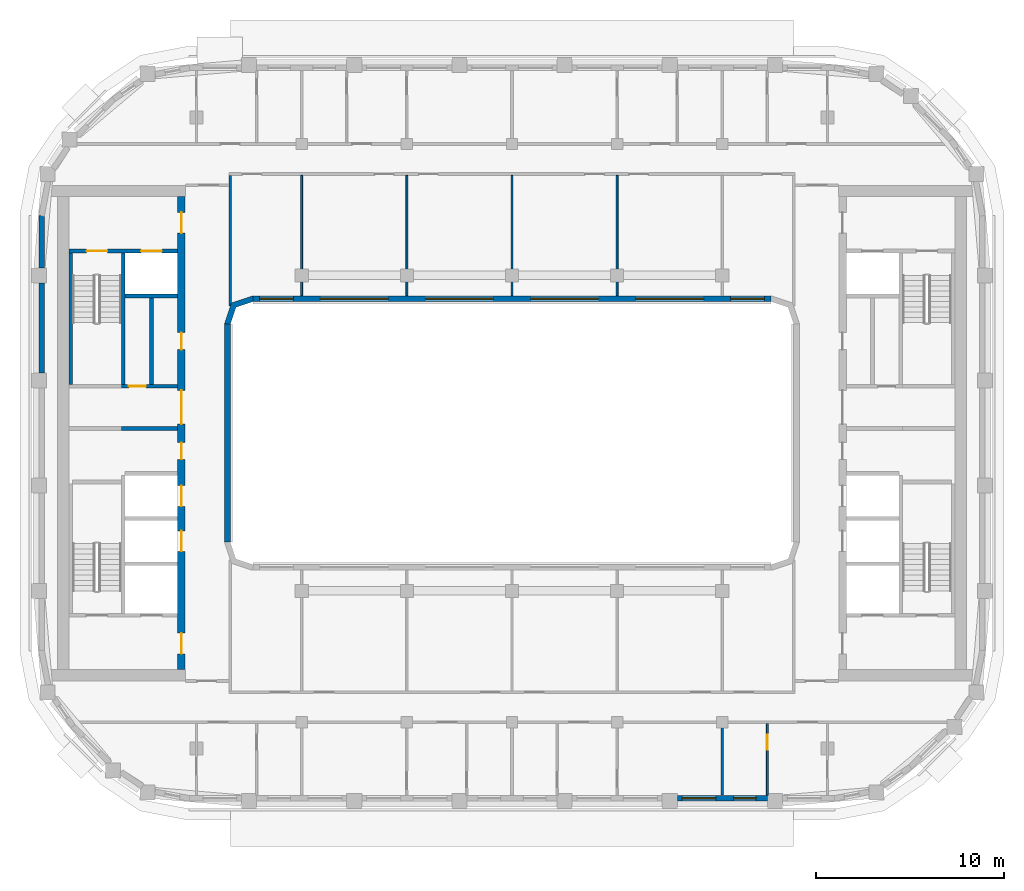
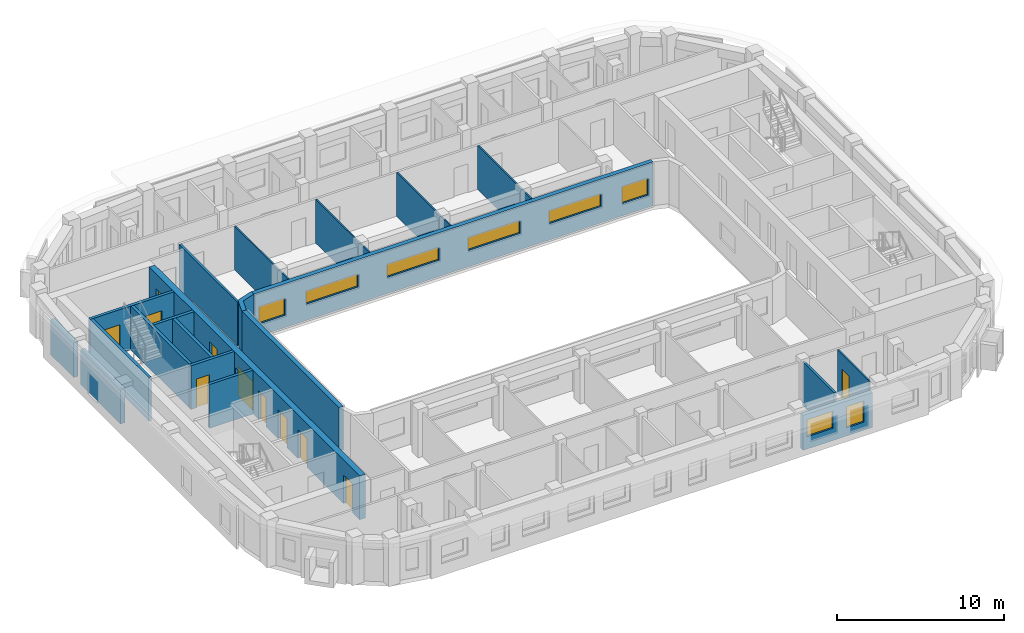
# One storey, part 4 of 15: 21 walls, 11 doors, 8 windows, 19 openings.
"""IFC4 building model written with IfcOpenShell, lengths in metres."""

from ifc_helpers import new_model, si_unit, direction, frame, frame_2d, origin, place, context, subcontext, project, spatial, polyline, rectangle, outline, extrude, material, layer, layer_set, type_object, element, fill, save


model = new_model("IFC4")

# Units and contexts
model_context = context("Model", 3, precision=1e-05, world=origin(), true_north=direction((0.0, 1.0)))
body_context = subcontext(model_context, "Body", "Model", "MODEL_VIEW")
ifc_project = project(units=[si_unit("LENGTHUNIT", "METRE"), si_unit("AREAUNIT", "SQUARE_METRE"), si_unit("VOLUMEUNIT", "CUBIC_METRE"), si_unit("PLANEANGLEUNIT", "RADIAN"), si_unit("MASSUNIT", "GRAM", prefix="KILO")], contexts=[model_context])

# Site, building, storey
site_placement = place(None, origin())
site = spatial("IfcSite", under=ifc_project, at=site_placement, CompositionType="ELEMENT")
building_placement = place(site_placement, origin())
building = spatial("IfcBuilding", under=site, at=building_placement, Name="Kiln Ring Residences", CompositionType="ELEMENT")
storey_placement = place(building_placement, frame((0.0, 0.0, 252.199951171875)))
storey = spatial("IfcBuildingStorey", under=building, at=storey_placement, Name="L65", CompositionType="ELEMENT", Elevation=252.199951171875)

# Walls
ifc_material_1 = material(Name="Gypsum board on steel studs", Category="steel")
ifc_layer_1 = layer(ifc_material_1, 0.199951171875)
ifc_layer_set_1 = layer_set([ifc_layer_1], Name="CORE-PARTITION-200")
wall_type_1 = type_object("IfcWallType", Name="CORE-PARTITION-200", PredefinedType="PARTITIONING", material=ifc_layer_set_1)
wall_1_placement = place(storey_placement, frame((-19.199951171875, 2.60009765625, 0.0), z_axis=(0.0, 0.0, 1.0), x_axis=(0.0, 1.0, 0.0)))
element("IfcWall", 1, at=wall_1_placement, inside=storey, type_object=wall_type_1, Name="Core partition west L65 2", PredefinedType="PARTITIONING", context=body_context, shape_type="SweptSolid", body=[
    extrude(rectangle(XDim=4.599853515625, YDim=0.199951171875, at=frame_2d((2.2998046875, 0.0))), origin(), (0.0, 0.0, 1.0), 3.199951171875),
])
ifc_material_2 = material(Name="Gypsum shaft wall system")
ifc_layer_2 = layer(ifc_material_2, 0.199951171875)
ifc_layer_set_2 = layer_set([ifc_layer_2], Name="CORE-SHAFT-WALL-200")
wall_type_2 = type_object("IfcWallType", Name="CORE-SHAFT-WALL-200", PredefinedType="PARTITIONING", material=ifc_layer_set_2)
wall_2_placement = place(storey_placement, frame((-17.800048828125, 0.25, 0.0), z_axis=(0.0, 0.0, 1.0), x_axis=(-1.0, 0.0, 0.0)))
element("IfcWall", 2, at=wall_2_placement, inside=storey, type_object=wall_type_2, Name="Core partition west L65 6", PredefinedType="PARTITIONING", context=body_context, shape_type="SweptSolid", body=[
    extrude(rectangle(XDim=3.0, YDim=0.199951171875, at=frame_2d((1.5, 0.0))), origin(), (0.0, 0.0, 1.0), 3.199951171875),
])

# Wall, opening, door
wall_3_placement = place(storey_placement, frame((-17.800048828125, 2.5, 0.0), z_axis=(0.0, 0.0, 1.0), x_axis=(-1.0, 0.0, 0.0)))
wall_3 = element("IfcWall", 3, at=wall_3_placement, inside=storey, type_object=wall_type_2, Name="Core partition west L65 7", PredefinedType="PARTITIONING", context=body_context, shape_type="SweptSolid", body=[
    extrude(rectangle(XDim=3.0, YDim=0.199951171875, at=frame_2d((1.5, 0.0))), origin(), (0.0, 0.0, 1.0), 3.199951171875),
])
opening_1_placement = place(wall_3_placement, frame((1.699951171875, 0.0, 0.0)))
opening_1 = element("IfcOpeningElement", 4, at=opening_1_placement, cuts=wall_3, Name="Opening L65-CW06", PredefinedType="OPENING", context=body_context, shape_type="SweptSolid", body=[
    extrude(rectangle(XDim=0.89990234375, YDim=2.10009765625, at=frame_2d((0.449951171875, 1.050048828125))), frame((0.0, 0.10986328125, 0.0), z_axis=(0.0, -1.0, 0.0), x_axis=(1.0, 0.0, 0.0)), (0.0, 0.0, 1.0), 0.219970703125),
])
ifc_material_3 = material(Name="Steel door leaf", Category="steel")
door_type_1 = type_object("IfcDoorType", Name="CORE-DOOR-ROOM", OperationType="SINGLE_SWING_LEFT", PredefinedType="DOOR", material=ifc_material_3)
door_1_placement = place(opening_1_placement, origin())
door_1 = element("IfcDoor", 5, at=door_1_placement, inside=storey, type_object=door_type_1, Name="Cleaner's store L65-CW06", OperationType="SINGLE_SWING_LEFT", OverallHeight=2.10009765625, OverallWidth=0.89990234375, PredefinedType="DOOR", context=body_context, shape_type="SweptSolid", body=[
    extrude(rectangle(XDim=0.89990234375, YDim=2.10009765625, at=frame_2d((0.449951171875, 1.050048828125))), frame((0.0, 0.02490234375, 0.0), z_axis=(0.0, -1.0, 0.0), x_axis=(1.0, 0.0, 0.0)), (0.0, 0.0, 1.0), 0.050048828125),
])
fill(opening_1, door_1)

# Walls
wall_4_placement = place(storey_placement, frame((-17.800048828125, 7.300048828125, 0.0), z_axis=(0.0, 0.0, 1.0), x_axis=(-1.0, 0.0, 0.0)))
element("IfcWall", 6, at=wall_4_placement, inside=storey, type_object=wall_type_2, Name="Core partition west L65 8", PredefinedType="PARTITIONING", context=body_context, shape_type="SweptSolid", body=[
    extrude(rectangle(XDim=2.800048828125, YDim=0.199951171875, at=frame_2d((1.39990234375, 0.0))), origin(), (0.0, 0.0, 1.0), 3.199951171875),
])
ifc_material_4 = material(Name="Concrete C40/50", Category="concrete")
ifc_layer_3 = layer(ifc_material_4, 0.199951171875)
ifc_layer_set_3 = layer_set([ifc_layer_3], Name="CORE-WALL-RC200")
wall_type_3 = type_object("IfcWallType", Name="CORE-WALL-RC200", PredefinedType="SHEAR", material=ifc_layer_set_3)
wall_5_placement = place(storey_placement, frame((-20.699951171875, 2.60009765625, 0.0), z_axis=(0.0, 0.0, 1.0), x_axis=(0.0, 1.0, 0.0)))
element("IfcWall", 7, at=wall_5_placement, inside=storey, type_object=wall_type_3, Name="Core wall west L65 1", PredefinedType="SHEAR", context=body_context, shape_type="SweptSolid", body=[
    extrude(rectangle(XDim=7.0, YDim=0.199951171875, at=frame_2d((3.5, 0.0))), origin(), (0.0, 0.0, 1.0), 3.199951171875),
])

# Wall, openings, doors
wall_6_placement = place(storey_placement, frame((-17.800048828125, 9.699951171875, 0.0), z_axis=(0.0, 0.0, 1.0), x_axis=(-1.0, 0.0, 0.0)))
wall_6 = element("IfcWall", 8, at=wall_6_placement, inside=storey, type_object=wall_type_3, Name="Core wall west L65 9", PredefinedType="SHEAR", context=body_context, shape_type="SweptSolid", body=[
    extrude(rectangle(XDim=5.800048828125, YDim=0.199951171875, at=frame_2d((2.89990234375, 0.0))), origin(), (0.0, 0.0, 1.0), 3.199951171875),
])
opening_2_placement = place(wall_6_placement, frame((0.85009765625, 0.0, 0.0)))
opening_2 = element("IfcOpeningElement", 9, at=opening_2_placement, cuts=wall_6, Name="Opening L65-CW07", PredefinedType="OPENING", context=body_context, shape_type="SweptSolid", body=[
    extrude(rectangle(XDim=1.10009765625, YDim=2.10009765625, at=frame_2d((0.550048828125, 1.050048828125))), frame((0.0, 0.10986328125, 0.0), z_axis=(0.0, -1.0, 0.0), x_axis=(1.0, 0.0, 0.0)), (0.0, 0.0, 1.0), 0.219970703125),
])
opening_3_placement = place(wall_6_placement, frame((3.75, 0.0, 0.0)))
opening_3 = element("IfcOpeningElement", 10, at=opening_3_placement, cuts=wall_6, Name="Opening L65-CW10", PredefinedType="OPENING", context=body_context, shape_type="SweptSolid", body=[
    extrude(rectangle(XDim=1.10009765625, YDim=2.10009765625, at=frame_2d((0.550048828125, 1.050048828125))), frame((0.0, 0.10986328125, 0.0), z_axis=(0.0, -1.0, 0.0), x_axis=(1.0, 0.0, 0.0)), (0.0, 0.0, 1.0), 0.219970703125),
])
ifc_material_5 = material(Name="Steel door leaf", Category="steel")
door_type_2 = type_object("IfcDoorType", Name="CORE-DOOR-LD", OperationType="DOUBLE_DOOR_SLIDING", PredefinedType="DOOR", material=ifc_material_5)
door_2_placement = place(opening_2_placement, origin())
door_2 = element("IfcDoor", 11, at=door_2_placement, inside=storey, type_object=door_type_2, Name="LD W-FF L65-CW07", OperationType="DOUBLE_DOOR_SLIDING", OverallHeight=2.10009765625, OverallWidth=1.10009765625, PredefinedType="DOOR", context=body_context, shape_type="SweptSolid", body=[
    extrude(rectangle(XDim=1.10009765625, YDim=2.10009765625, at=frame_2d((0.550048828125, 1.050048828125))), frame((0.0, 0.02490234375, 0.0), z_axis=(0.0, -1.0, 0.0), x_axis=(1.0, 0.0, 0.0)), (0.0, 0.0, 1.0), 0.050048828125),
])
fill(opening_2, door_2)
ifc_material_6 = material(Name="Steel door leaf", Category="steel")
door_type_3 = type_object("IfcDoorType", Name="CORE-DOOR-STAIR", OperationType="SINGLE_SWING_LEFT", PredefinedType="DOOR", material=ifc_material_6)
door_3_placement = place(opening_3_placement, origin())
door_3 = element("IfcDoor", 12, at=door_3_placement, inside=storey, type_object=door_type_3, Name="Stair W-STN L65-CW10", OperationType="SINGLE_SWING_RIGHT", OverallHeight=2.10009765625, OverallWidth=1.10009765625, PredefinedType="DOOR", context=body_context, shape_type="SweptSolid", body=[
    extrude(rectangle(XDim=1.10009765625, YDim=2.10009765625, at=frame_2d((0.550048828125, 1.050048828125))), frame((0.0, 0.02490234375, 0.0), z_axis=(0.0, -1.0, 0.0), x_axis=(1.0, 0.0, 0.0)), (0.0, 0.0, 1.0), 0.050048828125),
])
fill(opening_3, door_3)

# Wall
wall_7_placement = place(storey_placement, frame((-23.5, 2.60009765625, 0.0), z_axis=(0.0, 0.0, 1.0), x_axis=(0.0, 1.0, 0.0)))
element("IfcWall", 13, at=wall_7_placement, inside=storey, type_object=wall_type_3, Name="Core wall west L65 10", PredefinedType="SHEAR", context=body_context, shape_type="SweptSolid", body=[
    extrude(rectangle(XDim=7.0, YDim=0.199951171875, at=frame_2d((3.5, 0.0))), origin(), (0.0, 0.0, 1.0), 3.199951171875),
])

# Wall, openings, doors
ifc_material_7 = material(Name="Concrete C60/75", Category="concrete")
ifc_layer_4 = layer(ifc_material_7, 0.39990234375)
ifc_layer_set_4 = layer_set([ifc_layer_4], Name="CORE-WALL-RC400")
wall_type_4 = type_object("IfcWallType", Name="CORE-WALL-RC400", PredefinedType="SHEAR", material=ifc_layer_set_4)
wall_8_placement = place(storey_placement, frame((-17.60009765625, -12.60009765625, 0.0), z_axis=(0.0, 0.0, 1.0), x_axis=(0.0, 1.0, 0.0)))
wall_8 = element("IfcWall", 14, at=wall_8_placement, inside=storey, type_object=wall_type_4, Name="Core wall west L65 6", PredefinedType="SHEAR", context=body_context, shape_type="SweptSolid", body=[
    extrude(rectangle(XDim=25.2001953125, YDim=0.39990234375, at=frame_2d((12.60009765625, 0.0))), origin(), (0.0, 0.0, 1.0), 3.199951171875),
])
opening_4_placement = place(wall_8_placement, frame((6.300048828125, 0.0, 0.0)))
opening_4 = element("IfcOpeningElement", 15, at=opening_4_placement, cuts=wall_8, Name="Opening L65-CW02", PredefinedType="OPENING", context=body_context, shape_type="SweptSolid", body=[
    extrude(rectangle(XDim=1.10009765625, YDim=2.10009765625, at=frame_2d((0.550048828125, 1.050048828125))), frame((0.0, 0.2099609375, 0.0), z_axis=(0.0, -1.0, 0.0), x_axis=(1.0, 0.0, 0.0)), (0.0, 0.0, 1.0), 0.419921875),
])
opening_5_placement = place(wall_8_placement, frame((8.699951171875, 0.0, 0.0)))
opening_5 = element("IfcOpeningElement", 16, at=opening_5_placement, cuts=wall_8, Name="Opening L65-CW03", PredefinedType="OPENING", context=body_context, shape_type="SweptSolid", body=[
    extrude(rectangle(XDim=1.10009765625, YDim=2.10009765625, at=frame_2d((0.550048828125, 1.050048828125))), frame((0.0, 0.2099609375, 0.0), z_axis=(0.0, -1.0, 0.0), x_axis=(1.0, 0.0, 0.0)), (0.0, 0.0, 1.0), 0.419921875),
])
opening_6_placement = place(wall_8_placement, frame((11.199951171875, 0.0, 0.0)))
opening_6 = element("IfcOpeningElement", 17, at=opening_6_placement, cuts=wall_8, Name="Opening L65-CW04", PredefinedType="OPENING", context=body_context, shape_type="SweptSolid", body=[
    extrude(rectangle(XDim=0.89990234375, YDim=2.10009765625, at=frame_2d((0.449951171875, 1.050048828125))), frame((0.0, 0.2099609375, 0.0), z_axis=(0.0, -1.0, 0.0), x_axis=(1.0, 0.0, 0.0)), (0.0, 0.0, 1.0), 0.419921875),
])
opening_7_placement = place(wall_8_placement, frame((17.050048828125, 0.0, 0.0)))
opening_7 = element("IfcOpeningElement", 18, at=opening_7_placement, cuts=wall_8, Name="Opening L65-CW05", PredefinedType="OPENING", context=body_context, shape_type="SweptSolid", body=[
    extrude(rectangle(XDim=0.89990234375, YDim=2.10009765625, at=frame_2d((0.449951171875, 1.050048828125))), frame((0.0, 0.2099609375, 0.0), z_axis=(0.0, -1.0, 0.0), x_axis=(1.0, 0.0, 0.0)), (0.0, 0.0, 1.0), 0.419921875),
])
opening_8_placement = place(wall_8_placement, frame((23.25, 0.0, 0.0)))
opening_8 = element("IfcOpeningElement", 19, at=opening_8_placement, cuts=wall_8, Name="Opening L65-CW08", PredefinedType="OPENING", context=body_context, shape_type="SweptSolid", body=[
    extrude(rectangle(XDim=1.10009765625, YDim=2.10009765625, at=frame_2d((0.550048828125, 1.050048828125))), frame((0.0, 0.2099609375, 0.0), z_axis=(0.0, -1.0, 0.0), x_axis=(1.0, 0.0, 0.0)), (0.0, 0.0, 1.0), 0.419921875),
])
opening_9_placement = place(wall_8_placement, frame((0.85009765625, 0.0, 0.0)))
opening_9 = element("IfcOpeningElement", 20, at=opening_9_placement, cuts=wall_8, Name="Opening L65-CW09", PredefinedType="OPENING", context=body_context, shape_type="SweptSolid", body=[
    extrude(rectangle(XDim=1.10009765625, YDim=2.10009765625, at=frame_2d((0.550048828125, 1.050048828125))), frame((0.0, 0.2099609375, 0.0), z_axis=(0.0, -1.0, 0.0), x_axis=(1.0, 0.0, 0.0)), (0.0, 0.0, 1.0), 0.419921875),
])
opening_10_placement = place(wall_8_placement, frame((13.074951171875, 0.0, 0.0)))
opening_10 = element("IfcOpeningElement", 21, at=opening_10_placement, cuts=wall_8, Name="Opening L65-CW12", PredefinedType="OPENING", context=body_context, shape_type="SweptSolid", body=[
    extrude(rectangle(XDim=1.800048828125, YDim=2.10009765625, at=frame_2d((0.89990234375, 1.050048828125))), frame((0.0, 0.2099609375, 0.0), z_axis=(0.0, -1.0, 0.0), x_axis=(1.0, 0.0, 0.0)), (0.0, 0.0, 1.0), 0.419921875),
])
door_4_placement = place(opening_4_placement, origin())
door_4 = element("IfcDoor", 22, at=door_4_placement, inside=storey, type_object=door_type_2, Name="LD W-H1 L65-CW02", OperationType="DOUBLE_DOOR_SLIDING", OverallHeight=2.10009765625, OverallWidth=1.10009765625, PredefinedType="DOOR", context=body_context, shape_type="SweptSolid", body=[
    extrude(rectangle(XDim=1.10009765625, YDim=2.10009765625, at=frame_2d((0.550048828125, 1.050048828125))), frame((0.0, 0.02490234375, 0.0), z_axis=(0.0, -1.0, 0.0), x_axis=(1.0, 0.0, 0.0)), (0.0, 0.0, 1.0), 0.050048828125),
])
fill(opening_4, door_4)
door_5_placement = place(opening_5_placement, origin())
door_5 = element("IfcDoor", 23, at=door_5_placement, inside=storey, type_object=door_type_2, Name="LD W-H2 L65-CW03", OperationType="DOUBLE_DOOR_SLIDING", OverallHeight=2.10009765625, OverallWidth=1.10009765625, PredefinedType="DOOR", context=body_context, shape_type="SweptSolid", body=[
    extrude(rectangle(XDim=1.10009765625, YDim=2.10009765625, at=frame_2d((0.550048828125, 1.050048828125))), frame((0.0, 0.02490234375, 0.0), z_axis=(0.0, -1.0, 0.0), x_axis=(1.0, 0.0, 0.0)), (0.0, 0.0, 1.0), 0.050048828125),
])
fill(opening_5, door_5)
ifc_material_8 = material(Name="Steel door leaf", Category="steel")
door_type_4 = type_object("IfcDoorType", Name="CORE-DOOR-LOBBY", OperationType="SINGLE_SWING_LEFT", PredefinedType="DOOR", material=ifc_material_8)
door_6_placement = place(opening_8_placement, origin())
door_6 = element("IfcDoor", 24, at=door_6_placement, inside=storey, type_object=door_type_4, Name="FFL L65-CW08", OperationType="SINGLE_SWING_LEFT", OverallHeight=2.10009765625, OverallWidth=1.10009765625, PredefinedType="DOOR", context=body_context, shape_type="SweptSolid", body=[
    extrude(rectangle(XDim=1.10009765625, YDim=2.10009765625, at=frame_2d((0.550048828125, 1.050048828125))), frame((0.0, 0.02490234375, 0.0), z_axis=(0.0, -1.0, 0.0), x_axis=(1.0, 0.0, 0.0)), (0.0, 0.0, 1.0), 0.050048828125),
])
fill(opening_8, door_6)
door_7_placement = place(opening_9_placement, origin())
door_7 = element("IfcDoor", 25, at=door_7_placement, inside=storey, type_object=door_type_4, Name="SVL L65-CW09", OperationType="SINGLE_SWING_RIGHT", OverallHeight=2.10009765625, OverallWidth=1.10009765625, PredefinedType="DOOR", context=body_context, shape_type="SweptSolid", body=[
    extrude(rectangle(XDim=1.10009765625, YDim=2.10009765625, at=frame_2d((0.550048828125, 1.050048828125))), frame((0.0, 0.02490234375, 0.0), z_axis=(0.0, -1.0, 0.0), x_axis=(1.0, 0.0, 0.0)), (0.0, 0.0, 1.0), 0.050048828125),
])
fill(opening_9, door_7)
ifc_material_9 = material(Name="Steel door leaf", Category="steel")
door_type_5 = type_object("IfcDoorType", Name="CORE-DOOR-PASS", OperationType="DOUBLE_DOOR_SINGLE_SWING", PredefinedType="DOOR", material=ifc_material_9)
door_8_placement = place(opening_10_placement, origin())
door_8 = element("IfcDoor", 26, at=door_8_placement, inside=storey, type_object=door_type_5, Name="Core passage L65-CW12", OperationType="DOUBLE_DOOR_SINGLE_SWING", OverallHeight=2.10009765625, OverallWidth=1.800048828125, PredefinedType="DOOR", context=body_context, shape_type="SweptSolid", body=[
    extrude(rectangle(XDim=1.800048828125, YDim=2.10009765625, at=frame_2d((0.89990234375, 1.050048828125))), frame((0.0, 0.02490234375, 0.0), z_axis=(0.0, -1.0, 0.0), x_axis=(1.0, 0.0, 0.0)), (0.0, 0.0, 1.0), 0.050048828125),
])
fill(opening_10, door_8)
door_9_placement = place(opening_6_placement, origin())
door_9 = element("IfcDoor", 27, at=door_9_placement, inside=storey, type_object=door_type_1, Name="Parcel room L65-CW04", OperationType="SINGLE_SWING_RIGHT", OverallHeight=2.10009765625, OverallWidth=0.89990234375, PredefinedType="DOOR", context=body_context, shape_type="SweptSolid", body=[
    extrude(rectangle(XDim=0.89990234375, YDim=2.10009765625, at=frame_2d((0.449951171875, 1.050048828125))), frame((0.0, 0.02490234375, 0.0), z_axis=(0.0, -1.0, 0.0), x_axis=(1.0, 0.0, 0.0)), (0.0, 0.0, 1.0), 0.050048828125),
])
fill(opening_6, door_9)
door_10_placement = place(opening_7_placement, origin())
door_10 = element("IfcDoor", 28, at=door_10_placement, inside=storey, type_object=door_type_1, Name="Storage room L65-CW05", OperationType="SINGLE_SWING_LEFT", OverallHeight=2.10009765625, OverallWidth=0.89990234375, PredefinedType="DOOR", context=body_context, shape_type="SweptSolid", body=[
    extrude(rectangle(XDim=0.89990234375, YDim=2.10009765625, at=frame_2d((0.449951171875, 1.050048828125))), frame((0.0, 0.02490234375, 0.0), z_axis=(0.0, -1.0, 0.0), x_axis=(1.0, 0.0, 0.0)), (0.0, 0.0, 1.0), 0.050048828125),
])
fill(opening_7, door_10)

# Wall, openings, windows
ifc_material_10 = material(Name="Brick masonry, dark clay brick", Category="masonry")
ifc_layer_5 = layer(ifc_material_10, 0.300048828125)
ifc_layer_set_5 = layer_set([ifc_layer_5], Name="EW-300 BRICK WALL")
wall_type_5 = type_object("IfcWallType", Name="EW-300 BRICK WALL", PredefinedType="SOLIDWALL", material=ifc_layer_set_5)
wall_9_placement = place(storey_placement, frame((8.800048828125, -19.449951171875, 0.0), z_axis=(0.0, 0.0, 1.0), x_axis=(1.0, 0.0, 0.0)))
wall_9 = element("IfcWall", 29, at=wall_9_placement, inside=storey, type_object=wall_type_5, Name="Facade wall L65 9", PredefinedType="SOLIDWALL", context=body_context, shape_type="SweptSolid", body=[
    extrude(rectangle(XDim=4.800048828125, YDim=0.300048828125, at=frame_2d((2.39990234375, 0.0))), origin(), (0.0, 0.0, 1.0), 2.550048828125),
])
opening_11_placement = place(wall_9_placement, frame((0.262451171875, 0.0, 0.89990234375)))
opening_11 = element("IfcOpeningElement", 30, at=opening_11_placement, cuts=wall_9, Name="Opening W2", PredefinedType="OPENING", context=body_context, shape_type="SweptSolid", body=[
    extrude(rectangle(XDim=1.800048828125, YDim=1.25, at=frame_2d((0.89990234375, 0.625))), frame((0.0, 0.159912109375, 0.0), z_axis=(0.0, -1.0, 0.0), x_axis=(1.0, 0.0, 0.0)), (0.0, 0.0, 1.0), 0.320068359375),
])
opening_12_placement = place(wall_9_placement, frame((3.0, 0.0, 0.60009765625)))
opening_12 = element("IfcOpeningElement", 31, at=opening_12_placement, cuts=wall_9, Name="Opening W1", PredefinedType="OPENING", context=body_context, shape_type="SweptSolid", body=[
    extrude(rectangle(XDim=1.199951171875, YDim=1.550048828125, at=frame_2d((0.60009765625, 0.77490234375))), frame((0.0, 0.159912109375, 0.0), z_axis=(0.0, -1.0, 0.0), x_axis=(1.0, 0.0, 0.0)), (0.0, 0.0, 1.0), 0.320068359375),
])
ifc_material_11 = material(Name="Aluminium frame with double glazing", Category="aluminium")
window_type_1 = type_object("IfcWindowType", Name="WINDOW 1200 x 1550", PartitioningType="SINGLE_PANEL", PredefinedType="WINDOW", material=ifc_material_11)
window_1_placement = place(opening_12_placement, origin())
window_1 = element("IfcWindow", 32, at=window_1_placement, inside=storey, type_object=window_type_1, Name="Window L65 13", OverallHeight=1.550048828125, OverallWidth=1.199951171875, PartitioningType="SINGLE_PANEL", PredefinedType="WINDOW", context=body_context, shape_type="SweptSolid", body=[
    extrude(rectangle(XDim=1.199951171875, YDim=1.550048828125, at=frame_2d((0.60009765625, 0.77490234375))), frame((0.0, 0.030029296875, 0.0), z_axis=(0.0, -1.0, 0.0), x_axis=(1.0, 0.0, 0.0)), (0.0, 0.0, 1.0), 0.06005859375),
])
fill(opening_12, window_1)
ifc_material_12 = material(Name="Aluminium frame with double glazing", Category="aluminium")
window_type_2 = type_object("IfcWindowType", Name="WINDOW 1800 x 1250", PartitioningType="SINGLE_PANEL", PredefinedType="WINDOW", material=ifc_material_12)
window_2_placement = place(opening_11_placement, origin())
window_2 = element("IfcWindow", 33, at=window_2_placement, inside=storey, type_object=window_type_2, Name="Window L65 12", OverallHeight=1.25, OverallWidth=1.800048828125, PartitioningType="SINGLE_PANEL", PredefinedType="WINDOW", context=body_context, shape_type="SweptSolid", body=[
    extrude(rectangle(XDim=1.800048828125, YDim=1.25, at=frame_2d((0.89990234375, 0.625))), frame((0.0, 0.030029296875, 0.0), z_axis=(0.0, -1.0, 0.0), x_axis=(1.0, 0.0, 0.0)), (0.0, 0.0, 1.0), 0.06005859375),
])
fill(opening_11, window_2)

# Walls
wall_10_placement = place(storey_placement, frame((-25.050048828125, 11.60009765625, 0.0), z_axis=(0.0, 0.0, 1.0), x_axis=(0.0, -1.0, 0.0)))
element("IfcWall", 34, at=wall_10_placement, inside=storey, type_object=wall_type_5, Name="Facade wall L65 38", PredefinedType="SOLIDWALL", context=body_context, shape_type="SweptSolid", body=[
    extrude(rectangle(XDim=2.800048828125, YDim=0.300048828125, at=frame_2d((1.39990234375, 0.0))), origin(), (0.0, 0.0, 1.0), 2.550048828125),
])
wall_11_placement = place(storey_placement, frame((-25.050048828125, 8.0, 0.0), z_axis=(0.0, 0.0, 1.0), x_axis=(0.0, -1.0, 0.0)))
element("IfcWall", 35, at=wall_11_placement, inside=storey, type_object=wall_type_5, Name="Facade wall L65 39", PredefinedType="SOLIDWALL", context=body_context, shape_type="SweptSolid", body=[
    extrude(rectangle(XDim=4.800048828125, YDim=0.300048828125, at=frame_2d((2.39990234375, 0.0))), origin(), (0.0, 0.0, 1.0), 2.550048828125),
])
wall_12_placement = place(storey_placement, frame((-15.14990234375, -5.800048828125, 0.0), z_axis=(0.0, 0.0, 1.0), x_axis=(0.0, 1.0, 0.0)))
element("IfcWall", 36, at=wall_12_placement, inside=storey, type_object=wall_type_5, Name="Facade wall L65 45", PredefinedType="SOLIDWALL", context=body_context, shape_type="SweptSolid", body=[
    extrude(rectangle(XDim=11.60009765625, YDim=0.300048828125, at=frame_2d((5.800048828125, 0.0))), origin(), (0.0, 0.0, 1.0), 3.199951171875),
])

# Wall, openings, windows
wall_13_placement = place(storey_placement, frame((-13.800048828125, 7.14990234375, 0.0), z_axis=(0.0, 0.0, 1.0), x_axis=(1.0, 0.0, 0.0)))
wall_13 = element("IfcWall", 37, at=wall_13_placement, inside=storey, type_object=wall_type_5, Name="Facade wall L65 46", PredefinedType="SOLIDWALL", context=body_context, shape_type="SweptSolid", body=[
    extrude(rectangle(XDim=27.60009765625, YDim=0.300048828125, at=frame_2d((13.800048828125, 0.0))), origin(), (0.0, 0.0, 1.0), 3.199951171875),
])
opening_13_placement = place(wall_13_placement, frame((0.362548828125, 0.0, 0.89990234375)))
opening_13 = element("IfcOpeningElement", 38, at=opening_13_placement, cuts=wall_13, Name="Opening W2", PredefinedType="OPENING", context=body_context, shape_type="SweptSolid", body=[
    extrude(rectangle(XDim=1.800048828125, YDim=1.25, at=frame_2d((0.89990234375, 0.625))), frame((0.0, 0.159912109375, 0.0), z_axis=(0.0, -1.0, 0.0), x_axis=(1.0, 0.0, 0.0)), (0.0, 0.0, 1.0), 0.320068359375),
])
opening_14_placement = place(wall_13_placement, frame((3.60009765625, 0.0, 1.199951171875)))
opening_14 = element("IfcOpeningElement", 39, at=opening_14_placement, cuts=wall_13, Name="Opening W4", PredefinedType="OPENING", context=body_context, shape_type="SweptSolid", body=[
    extrude(rectangle(XDim=3.60009765625, YDim=0.949951171875, at=frame_2d((1.800048828125, 0.47509765625))), frame((0.0, 0.159912109375, 0.0), z_axis=(0.0, -1.0, 0.0), x_axis=(1.0, 0.0, 0.0)), (0.0, 0.0, 1.0), 0.320068359375),
])
opening_15_placement = place(wall_13_placement, frame((9.199951171875, 0.0, 1.199951171875)))
opening_15 = element("IfcOpeningElement", 40, at=opening_15_placement, cuts=wall_13, Name="Opening W4", PredefinedType="OPENING", context=body_context, shape_type="SweptSolid", body=[
    extrude(rectangle(XDim=3.60009765625, YDim=0.949951171875, at=frame_2d((1.800048828125, 0.47509765625))), frame((0.0, 0.159912109375, 0.0), z_axis=(0.0, -1.0, 0.0), x_axis=(1.0, 0.0, 0.0)), (0.0, 0.0, 1.0), 0.320068359375),
])
opening_16_placement = place(wall_13_placement, frame((14.800048828125, 0.0, 1.199951171875)))
opening_16 = element("IfcOpeningElement", 41, at=opening_16_placement, cuts=wall_13, Name="Opening W4", PredefinedType="OPENING", context=body_context, shape_type="SweptSolid", body=[
    extrude(rectangle(XDim=3.60009765625, YDim=0.949951171875, at=frame_2d((1.800048828125, 0.47509765625))), frame((0.0, 0.159912109375, 0.0), z_axis=(0.0, -1.0, 0.0), x_axis=(1.0, 0.0, 0.0)), (0.0, 0.0, 1.0), 0.320068359375),
])
opening_17_placement = place(wall_13_placement, frame((20.39990234375, 0.0, 1.199951171875)))
opening_17 = element("IfcOpeningElement", 42, at=opening_17_placement, cuts=wall_13, Name="Opening W4", PredefinedType="OPENING", context=body_context, shape_type="SweptSolid", body=[
    extrude(rectangle(XDim=3.60009765625, YDim=0.949951171875, at=frame_2d((1.800048828125, 0.47509765625))), frame((0.0, 0.159912109375, 0.0), z_axis=(0.0, -1.0, 0.0), x_axis=(1.0, 0.0, 0.0)), (0.0, 0.0, 1.0), 0.320068359375),
])
opening_18_placement = place(wall_13_placement, frame((25.4375, 0.0, 0.89990234375)))
opening_18 = element("IfcOpeningElement", 43, at=opening_18_placement, cuts=wall_13, Name="Opening W2", PredefinedType="OPENING", context=body_context, shape_type="SweptSolid", body=[
    extrude(rectangle(XDim=1.800048828125, YDim=1.25, at=frame_2d((0.89990234375, 0.625))), frame((0.0, 0.159912109375, 0.0), z_axis=(0.0, -1.0, 0.0), x_axis=(1.0, 0.0, 0.0)), (0.0, 0.0, 1.0), 0.320068359375),
])
window_3_placement = place(opening_13_placement, origin())
window_3 = element("IfcWindow", 44, at=window_3_placement, inside=storey, type_object=window_type_2, Name="Window L65 37", OverallHeight=1.25, OverallWidth=1.800048828125, PartitioningType="SINGLE_PANEL", PredefinedType="WINDOW", context=body_context, shape_type="SweptSolid", body=[
    extrude(rectangle(XDim=1.800048828125, YDim=1.25, at=frame_2d((0.89990234375, 0.625))), frame((0.0, 0.030029296875, 0.0), z_axis=(0.0, -1.0, 0.0), x_axis=(1.0, 0.0, 0.0)), (0.0, 0.0, 1.0), 0.06005859375),
])
fill(opening_13, window_3)
window_4_placement = place(opening_18_placement, origin())
window_4 = element("IfcWindow", 45, at=window_4_placement, inside=storey, type_object=window_type_2, Name="Window L65 42", OverallHeight=1.25, OverallWidth=1.800048828125, PartitioningType="SINGLE_PANEL", PredefinedType="WINDOW", context=body_context, shape_type="SweptSolid", body=[
    extrude(rectangle(XDim=1.800048828125, YDim=1.25, at=frame_2d((0.89990234375, 0.625))), frame((0.0, 0.030029296875, 0.0), z_axis=(0.0, -1.0, 0.0), x_axis=(1.0, 0.0, 0.0)), (0.0, 0.0, 1.0), 0.06005859375),
])
fill(opening_18, window_4)
ifc_material_13 = material(Name="Aluminium frame with double glazing", Category="aluminium")
window_type_3 = type_object("IfcWindowType", Name="WINDOW 3600 x 950", PartitioningType="SINGLE_PANEL", PredefinedType="WINDOW", material=ifc_material_13)
window_5_placement = place(opening_14_placement, origin())
window_5 = element("IfcWindow", 46, at=window_5_placement, inside=storey, type_object=window_type_3, Name="Window L65 38", OverallHeight=0.949951171875, OverallWidth=3.60009765625, PartitioningType="SINGLE_PANEL", PredefinedType="WINDOW", context=body_context, shape_type="SweptSolid", body=[
    extrude(rectangle(XDim=3.60009765625, YDim=0.949951171875, at=frame_2d((1.800048828125, 0.47509765625))), frame((0.0, 0.030029296875, 0.0), z_axis=(0.0, -1.0, 0.0), x_axis=(1.0, 0.0, 0.0)), (0.0, 0.0, 1.0), 0.06005859375),
])
fill(opening_14, window_5)
window_6_placement = place(opening_15_placement, origin())
window_6 = element("IfcWindow", 47, at=window_6_placement, inside=storey, type_object=window_type_3, Name="Window L65 39", OverallHeight=0.949951171875, OverallWidth=3.60009765625, PartitioningType="SINGLE_PANEL", PredefinedType="WINDOW", context=body_context, shape_type="SweptSolid", body=[
    extrude(rectangle(XDim=3.60009765625, YDim=0.949951171875, at=frame_2d((1.800048828125, 0.47509765625))), frame((0.0, 0.030029296875, 0.0), z_axis=(0.0, -1.0, 0.0), x_axis=(1.0, 0.0, 0.0)), (0.0, 0.0, 1.0), 0.06005859375),
])
fill(opening_15, window_6)
window_7_placement = place(opening_16_placement, origin())
window_7 = element("IfcWindow", 48, at=window_7_placement, inside=storey, type_object=window_type_3, Name="Window L65 40", OverallHeight=0.949951171875, OverallWidth=3.60009765625, PartitioningType="SINGLE_PANEL", PredefinedType="WINDOW", context=body_context, shape_type="SweptSolid", body=[
    extrude(rectangle(XDim=3.60009765625, YDim=0.949951171875, at=frame_2d((1.800048828125, 0.47509765625))), frame((0.0, 0.030029296875, 0.0), z_axis=(0.0, -1.0, 0.0), x_axis=(1.0, 0.0, 0.0)), (0.0, 0.0, 1.0), 0.06005859375),
])
fill(opening_16, window_7)
window_8_placement = place(opening_17_placement, origin())
window_8 = element("IfcWindow", 49, at=window_8_placement, inside=storey, type_object=window_type_3, Name="Window L65 41", OverallHeight=0.949951171875, OverallWidth=3.60009765625, PartitioningType="SINGLE_PANEL", PredefinedType="WINDOW", context=body_context, shape_type="SweptSolid", body=[
    extrude(rectangle(XDim=3.60009765625, YDim=0.949951171875, at=frame_2d((1.800048828125, 0.47509765625))), frame((0.0, 0.030029296875, 0.0), z_axis=(0.0, -1.0, 0.0), x_axis=(1.0, 0.0, 0.0)), (0.0, 0.0, 1.0), 0.06005859375),
])
fill(opening_17, window_8)

# Walls
wall_14_placement = place(storey_placement, origin())
element("IfcWall", 50, at=wall_14_placement, inside=storey, type_object=wall_type_5, Name="Corner wall L65 1", PredefinedType="SOLIDWALL", context=body_context, shape_type="SweptSolid", body=[
    extrude(outline(polyline([(-13.8486328125, 7.300048828125), (-14.937255859375, 6.937255859375), (-15.300048828125, 5.8486328125), (-15.300048828125, 5.800048828125), (-15.0, 5.800048828125), (-14.699951171875, 6.699951171875), (-13.800048828125, 7.0), (-13.800048828125, 7.300048828125), (-13.8486328125, 7.300048828125)])), origin(), (0.0, 0.0, 1.0), 3.199951171875),
])
ifc_material_14 = material(Name="Gypsum board on steel studs", Category="steel")
ifc_layer_6 = layer(ifc_material_14, 0.10009765625)
ifc_layer_set_6 = layer_set([ifc_layer_6], Name="PARTITION-100")
wall_type_6 = type_object("IfcWallType", Name="PARTITION-100", PredefinedType="PARTITIONING", material=ifc_layer_set_6)
for number, where, z_axis, x_axis, name in (
    (51, (-11.199951171875, 7.320068359375, 0.0), (0.0, 0.0, 1.0), (0.0, 1.0, 0.0), "Partition 015"),
    (52, (-5.60009765625, 7.320068359375, 0.0), (0.0, 0.0, 1.0), (0.0, 1.0, 0.0), "Partition 021"),
    (53, (0.0, 7.320068359375, 0.0), (0.0, 0.0, 1.0), (0.0, 1.0, 0.0), "Partition 025"),
    (54, (5.60009765625, 7.320068359375, 0.0), (0.0, 0.0, 1.0), (0.0, 1.0, 0.0), "Partition 031"),
):
    element("IfcWall", number, at=place(storey_placement, frame(where, z_axis=z_axis, x_axis=x_axis)), inside=storey, type_object=wall_type_6, Name=name, PredefinedType="PARTITIONING", context=body_context, shape_type="SweptSolid", body=[
        extrude(rectangle(XDim=6.405029296875, YDim=0.10009765625, at=frame_2d((3.20263671875, 0.0))), origin(), (0.0, 0.0, 1.0), 3.199951171875),
    ])

# Wall, opening, door
wall_15_placement = place(storey_placement, frame((13.60009765625, -19.280029296875, 0.0), z_axis=(0.0, 0.0, 1.0), x_axis=(0.0, 1.0, 0.0)))
wall_15 = element("IfcWall", 55, at=wall_15_placement, inside=storey, type_object=wall_type_6, Name="Partition 038", PredefinedType="PARTITIONING", context=body_context, shape_type="SweptSolid", body=[
    extrude(rectangle(XDim=3.804931640625, YDim=0.10009765625, at=frame_2d((1.90234375, 0.0))), origin(), (0.0, 0.0, 1.0), 3.199951171875),
])
opening_19_placement = place(wall_15_placement, frame((2.428955078125, 0.0, 0.0)))
opening_19 = element("IfcOpeningElement", 56, at=opening_19_placement, cuts=wall_15, Name="Opening L65-D039", PredefinedType="OPENING", context=body_context, shape_type="SweptSolid", body=[
    extrude(rectangle(XDim=0.800048828125, YDim=2.10009765625, at=frame_2d((0.39990234375, 1.050048828125))), frame((0.0, 0.06005859375, 0.0), z_axis=(0.0, -1.0, 0.0), x_axis=(1.0, 0.0, 0.0)), (0.0, 0.0, 1.0), 0.1201171875),
])
ifc_material_15 = material(Name="Timber door leaf", Category="wood")
door_type_6 = type_object("IfcDoorType", Name="FLAT-DOOR-800-PL", OperationType="SINGLE_SWING_LEFT", PredefinedType="DOOR", material=ifc_material_15)
door_11_placement = place(opening_19_placement, origin())
door_11 = element("IfcDoor", 57, at=door_11_placement, inside=storey, type_object=door_type_6, Name="Door L65-D039", OperationType="SINGLE_SWING_LEFT", OverallHeight=2.10009765625, OverallWidth=0.800048828125, PredefinedType="DOOR", context=body_context, shape_type="SweptSolid", body=[
    extrude(rectangle(XDim=0.800048828125, YDim=2.10009765625, at=frame_2d((0.39990234375, 1.050048828125))), frame((0.0, 0.02490234375, 0.0), z_axis=(0.0, -1.0, 0.0), x_axis=(1.0, 0.0, 0.0)), (0.0, 0.0, 1.0), 0.050048828125),
])
fill(opening_19, door_11)

# Walls
ifc_material_16 = material(Name="Brick masonry partition", Category="masonry")
ifc_layer_7 = layer(ifc_material_16, 0.14990234375)
ifc_layer_set_7 = layer_set([ifc_layer_7], Name="PARTITION-150-ei60")
wall_type_7 = type_object("IfcWallType", Name="PARTITION-150-ei60", PredefinedType="PARTITIONING", material=ifc_layer_set_7)
wall_16_placement = place(storey_placement, frame((-15.0, 6.768798828125, 0.0), z_axis=(0.0, 0.0, 1.0), x_axis=(0.0, 1.0, 0.0)))
element("IfcWall", 58, at=wall_16_placement, inside=storey, type_object=wall_type_7, Name="Partition 011", PredefinedType="PARTITIONING", context=body_context, shape_type="SweptSolid", body=[
    extrude(rectangle(XDim=6.956298828125, YDim=0.14990234375, at=frame_2d((3.47802734375, 0.0))), origin(), (0.0, 0.0, 1.0), 3.199951171875),
])
wall_17_placement = place(storey_placement, frame((11.199951171875, -19.280029296875, 0.0), z_axis=(0.0, 0.0, 1.0), x_axis=(0.0, 1.0, 0.0)))
element("IfcWall", 59, at=wall_17_placement, inside=storey, type_object=wall_type_7, Name="Partition 036", PredefinedType="PARTITIONING", context=body_context, shape_type="SweptSolid", body=[
    extrude(rectangle(XDim=3.804931640625, YDim=0.14990234375, at=frame_2d((1.90234375, 0.0))), origin(), (0.0, 0.0, 1.0), 3.199951171875),
])

save(model, "model.ifc")
